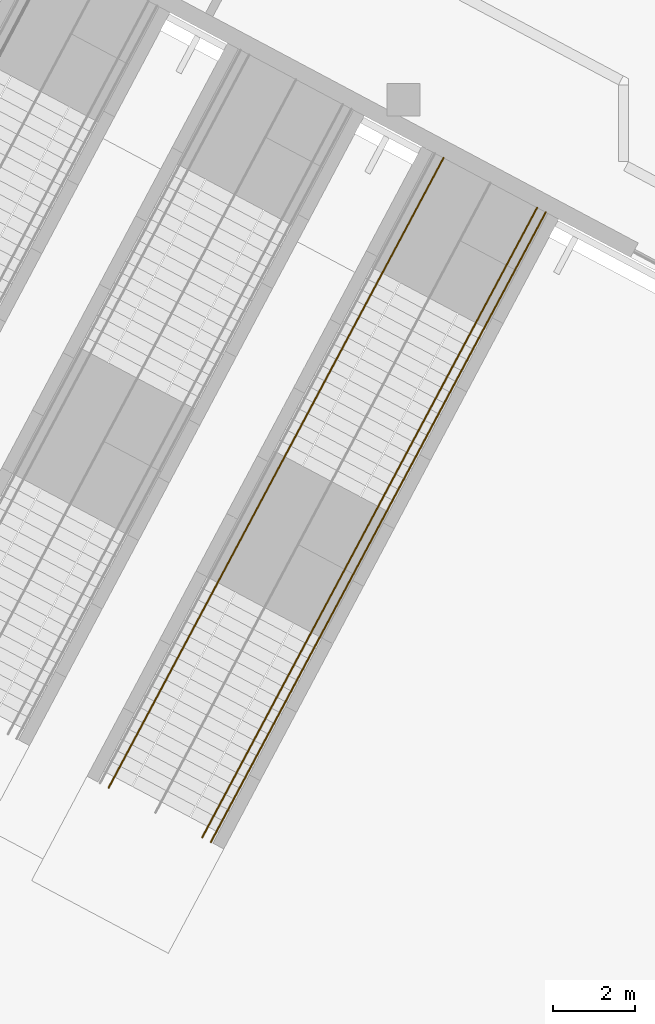
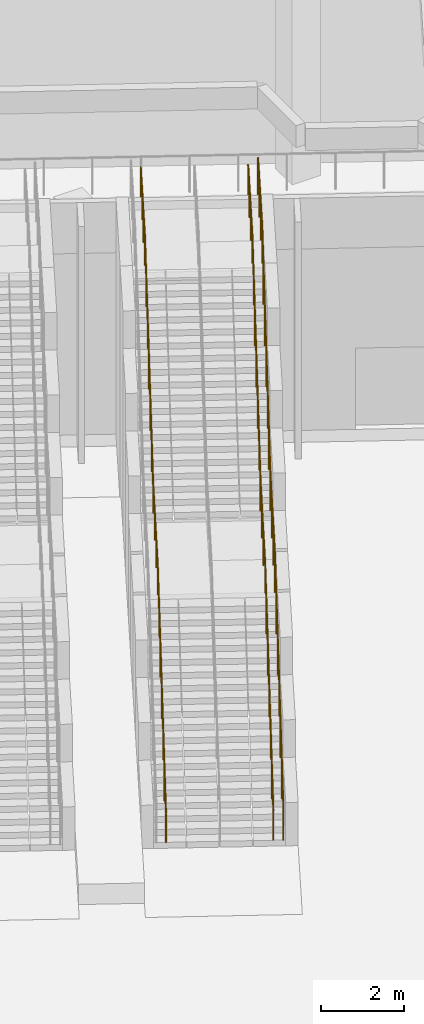
# One storey, part 41 of 57: 3 railings.
"""IFC4 building model written with IfcOpenShell, lengths in metres."""

from ifc_helpers import new_model, si_unit, direction, frame, origin, place, context, subcontext, project, spatial, polyline, outline, extrude, material, type_object, element, save


model = new_model("IFC4")

# Units and contexts
model_context = context("Model", 3, precision=1e-05, world=origin(), true_north=direction((0.0, 1.0)))
body_context = subcontext(model_context, "Body", "Model", "MODEL_VIEW")
ifc_project = project(units=[si_unit("LENGTHUNIT", "METRE"), si_unit("AREAUNIT", "SQUARE_METRE"), si_unit("VOLUMEUNIT", "CUBIC_METRE"), si_unit("PLANEANGLEUNIT", "RADIAN"), si_unit("MASSUNIT", "GRAM", prefix="KILO")], contexts=[model_context])

# Site, building, storey
site_placement = place(None, origin())
site = spatial("IfcSite", under=ifc_project, at=site_placement, CompositionType="ELEMENT")
building_placement = place(site_placement, origin())
building = spatial("IfcBuilding", under=site, at=building_placement, Name="Cormorant Relay Tower", CompositionType="ELEMENT")
storey_placement = place(building_placement, origin())
storey = spatial("IfcBuildingStorey", under=building, at=storey_placement, Name="L00", CompositionType="ELEMENT", Elevation=0.0)

# Railings
ifc_material_1 = material(Name="Stainless steel 316", Category="steel")
railing_type_1 = type_object("IfcRailingType", Name="Podium stair handrail 900", PredefinedType="HANDRAIL", material=ifc_material_1)
railing_1_placement = place(storey_placement, frame((-27.510498046875, -22.747314453125, 7.0)))
element("IfcRailing", 1, at=railing_1_placement, inside=storey, type_object=railing_type_1, Name="Stair handrail", PredefinedType="HANDRAIL", context=body_context, shape_type="SweptSolid", body=[
    extrude(outline(polyline([(0.022216796875, 0.00927734375), (0.00927734375, 0.022216796875), (-0.00927734375, 0.022216796875), (-0.022216796875, 0.00927734375), (-0.022216796875, -0.00927734375), (-0.00927734375, -0.022216796875), (0.00927734375, -0.022216796875), (0.022216796875, -0.00927734375), (0.022216796875, 0.00927734375)])), frame((0.0, 0.0, 0.8759765625), z_axis=(-0.469434248776, -0.882967432059, 0.0), x_axis=(0.882967432059, -0.469434248776, 0.0)), (0.0, 0.0, 1.0), 2.89990234375),
    extrude(outline(polyline([(0.022216796875, 0.00927734375), (0.00927734375, 0.022216796875), (-0.00927734375, 0.022216796875), (-0.022216796875, 0.00927734375), (-0.022216796875, -0.00927734375), (-0.00927734375, -0.022216796875), (0.00927734375, -0.022216796875), (0.022216796875, -0.00927734375), (0.022216796875, 0.00927734375)])), frame((-1.361328125, -2.560546875, 0.8759765625), z_axis=(-0.40552993965, -0.762667108471, -0.50386937762), x_axis=(0.882941524652, -0.469482975245, 0.0)), (0.0, 0.0, 1.0), 6.598876953125),
    extrude(outline(polyline([(0.022216796875, 0.00927734375), (0.00927734375, 0.022216796875), (-0.00927734375, 0.022216796875), (-0.022216796875, 0.00927734375), (-0.022216796875, -0.00927734375), (-0.00927734375, -0.022216796875), (0.00927734375, -0.022216796875), (0.022216796875, -0.00927734375), (0.022216796875, 0.00927734375)])), frame((-4.037353515625, -7.59326171875, -2.44921875), z_axis=(-0.468742586737, -0.881644394004, -0.054621881146), x_axis=(0.88296255937, -0.469443413791, 0.0)), (0.0, 0.0, 1.0), 3.204833984375),
    extrude(outline(polyline([(0.022216796875, 0.00927734375), (0.00927734375, 0.022216796875), (-0.00927734375, 0.022216796875), (-0.022216796875, 0.00927734375), (-0.022216796875, -0.00927734375), (-0.00927734375, -0.022216796875), (0.00927734375, -0.022216796875), (0.022216796875, -0.00927734375), (0.022216796875, 0.00927734375)])), frame((-5.53955078125, -10.418701171875, -2.6240234375), z_axis=(-0.4055184971, -0.762682585322, -0.503855160296), x_axis=(0.882950964929, -0.46946522079, 0.0)), (0.0, 0.0, 1.0), 6.59912109375),
    extrude(outline(polyline([(0.019287109375, 0.008056640625), (0.008056640625, 0.019287109375), (-0.008056640625, 0.019287109375), (-0.019287109375, 0.008056640625), (-0.019287109375, -0.008056640625), (-0.008056640625, -0.019287109375), (0.008056640625, -0.019287109375), (0.019287109375, -0.008056640625), (0.019287109375, 0.008056640625)])), origin(), (0.0, 0.0, 1.0), 0.851806640625),
    extrude(outline(polyline([(0.019287109375, 0.008056640625), (0.008056640625, 0.019287109375), (-0.008056640625, 0.019287109375), (-0.019287109375, 0.008056640625), (-0.019287109375, -0.008056640625), (-0.008056640625, -0.019287109375), (0.008056640625, -0.019287109375), (0.019287109375, -0.008056640625), (0.019287109375, 0.008056640625)])), frame((-0.453857421875, -0.853515625, 0.0)), (0.0, 0.0, 1.0), 0.851806640625),
    extrude(outline(polyline([(0.019287109375, 0.008056640625), (0.008056640625, 0.019287109375), (-0.008056640625, 0.019287109375), (-0.019287109375, 0.008056640625), (-0.019287109375, -0.008056640625), (-0.008056640625, -0.019287109375), (0.008056640625, -0.019287109375), (0.019287109375, -0.008056640625), (0.019287109375, 0.008056640625)])), frame((-0.907470703125, -1.70703125, 0.0)), (0.0, 0.0, 1.0), 0.851806640625),
    extrude(outline(polyline([(0.019287109375, 0.008056640625), (0.008056640625, 0.019287109375), (-0.008056640625, 0.019287109375), (-0.019287109375, 0.008056640625), (-0.019287109375, -0.008056640625), (-0.008056640625, -0.019287109375), (0.008056640625, -0.019287109375), (0.019287109375, -0.008056640625), (0.019287109375, 0.008056640625)])), frame((-1.361328125, -2.560546875, 0.0)), (0.0, 0.0, 1.0), 0.851806640625),
    extrude(outline(polyline([(0.019287109375, 0.008056640625), (0.008056640625, 0.019287109375), (-0.008056640625, 0.019287109375), (-0.019287109375, 0.008056640625), (-0.019287109375, -0.008056640625), (-0.008056640625, -0.019287109375), (0.008056640625, -0.019287109375), (0.019287109375, -0.008056640625), (0.019287109375, 0.008056640625)])), frame((-1.807373046875, -3.3994140625, -0.55419921875)), (0.0, 0.0, 1.0), 0.851806640625),
    extrude(outline(polyline([(0.019287109375, 0.008056640625), (0.008056640625, 0.019287109375), (-0.008056640625, 0.019287109375), (-0.019287109375, 0.008056640625), (-0.019287109375, -0.008056640625), (-0.008056640625, -0.019287109375), (0.008056640625, -0.019287109375), (0.019287109375, -0.008056640625), (0.019287109375, 0.008056640625)])), frame((-2.25341796875, -4.238037109375, -1.1083984375)), (0.0, 0.0, 1.0), 0.851806640625),
    extrude(outline(polyline([(0.019287109375, 0.008056640625), (0.008056640625, 0.019287109375), (-0.008056640625, 0.019287109375), (-0.019287109375, 0.008056640625), (-0.019287109375, -0.008056640625), (-0.008056640625, -0.019287109375), (0.008056640625, -0.019287109375), (0.019287109375, -0.008056640625), (0.019287109375, 0.008056640625)])), frame((-2.69921875, -5.076904296875, -1.66259765625)), (0.0, 0.0, 1.0), 0.851806640625),
    extrude(outline(polyline([(0.019287109375, 0.008056640625), (0.008056640625, 0.019287109375), (-0.008056640625, 0.019287109375), (-0.019287109375, 0.008056640625), (-0.019287109375, -0.008056640625), (-0.008056640625, -0.019287109375), (0.008056640625, -0.019287109375), (0.019287109375, -0.008056640625), (0.019287109375, 0.008056640625)])), frame((-3.145263671875, -5.915771484375, -2.216552734375)), (0.0, 0.0, 1.0), 0.851806640625),
    extrude(outline(polyline([(0.019287109375, 0.008056640625), (0.008056640625, 0.019287109375), (-0.008056640625, 0.019287109375), (-0.019287109375, 0.008056640625), (-0.019287109375, -0.008056640625), (-0.008056640625, -0.019287109375), (0.008056640625, -0.019287109375), (0.019287109375, -0.008056640625), (0.019287109375, 0.008056640625)])), frame((-3.59130859375, -6.75439453125, -2.770751953125)), (0.0, 0.0, 1.0), 0.851806640625),
    extrude(outline(polyline([(0.019287109375, 0.008056640625), (0.008056640625, 0.019287109375), (-0.008056640625, 0.019287109375), (-0.019287109375, 0.008056640625), (-0.019287109375, -0.008056640625), (-0.008056640625, -0.019287109375), (0.008056640625, -0.019287109375), (0.019287109375, -0.008056640625), (0.019287109375, 0.008056640625)])), frame((-4.037353515625, -7.59326171875, -3.324951171875)), (0.0, 0.0, 1.0), 0.851806640625),
    extrude(outline(polyline([(0.019287109375, 0.008056640625), (0.008056640625, 0.019287109375), (-0.008056640625, 0.019287109375), (-0.019287109375, 0.008056640625), (-0.019287109375, -0.008056640625), (-0.008056640625, -0.019287109375), (0.008056640625, -0.019287109375), (0.019287109375, -0.008056640625), (0.019287109375, 0.008056640625)])), frame((-4.5380859375, -8.53515625, -3.38330078125)), (0.0, 0.0, 1.0), 0.851806640625),
    extrude(outline(polyline([(0.019287109375, 0.008056640625), (0.008056640625, 0.019287109375), (-0.008056640625, 0.019287109375), (-0.019287109375, 0.008056640625), (-0.019287109375, -0.008056640625), (-0.008056640625, -0.019287109375), (0.008056640625, -0.019287109375), (0.019287109375, -0.008056640625), (0.019287109375, 0.008056640625)])), frame((-5.038818359375, -9.476806640625, -3.441650390625)), (0.0, 0.0, 1.0), 0.851806640625),
    extrude(outline(polyline([(0.019287109375, 0.008056640625), (0.008056640625, 0.019287109375), (-0.008056640625, 0.019287109375), (-0.019287109375, 0.008056640625), (-0.019287109375, -0.008056640625), (-0.008056640625, -0.019287109375), (0.008056640625, -0.019287109375), (0.019287109375, -0.008056640625), (0.019287109375, 0.008056640625)])), frame((-5.53955078125, -10.418701171875, -3.5)), (0.0, 0.0, 1.0), 0.851806640625),
    extrude(outline(polyline([(0.019287109375, 0.008056640625), (0.008056640625, 0.019287109375), (-0.008056640625, 0.019287109375), (-0.019287109375, 0.008056640625), (-0.019287109375, -0.008056640625), (-0.008056640625, -0.019287109375), (0.008056640625, -0.019287109375), (0.019287109375, -0.008056640625), (0.019287109375, 0.008056640625)])), frame((-5.985595703125, -11.257568359375, -4.05419921875)), (0.0, 0.0, 1.0), 0.851806640625),
    extrude(outline(polyline([(0.019287109375, 0.008056640625), (0.008056640625, 0.019287109375), (-0.008056640625, 0.019287109375), (-0.019287109375, 0.008056640625), (-0.019287109375, -0.008056640625), (-0.008056640625, -0.019287109375), (0.008056640625, -0.019287109375), (0.019287109375, -0.008056640625), (0.019287109375, 0.008056640625)])), frame((-6.431640625, -12.096435546875, -4.6083984375)), (0.0, 0.0, 1.0), 0.851806640625),
    extrude(outline(polyline([(0.019287109375, 0.008056640625), (0.008056640625, 0.019287109375), (-0.008056640625, 0.019287109375), (-0.019287109375, 0.008056640625), (-0.019287109375, -0.008056640625), (-0.008056640625, -0.019287109375), (0.008056640625, -0.019287109375), (0.019287109375, -0.008056640625), (0.019287109375, 0.008056640625)])), frame((-6.87744140625, -12.93505859375, -5.16259765625)), (0.0, 0.0, 1.0), 0.851806640625),
    extrude(outline(polyline([(0.019287109375, 0.008056640625), (0.008056640625, 0.019287109375), (-0.008056640625, 0.019287109375), (-0.019287109375, 0.008056640625), (-0.019287109375, -0.008056640625), (-0.008056640625, -0.019287109375), (0.008056640625, -0.019287109375), (0.019287109375, -0.008056640625), (0.019287109375, 0.008056640625)])), frame((-7.323486328125, -13.77392578125, -5.716552734375)), (0.0, 0.0, 1.0), 0.851806640625),
    extrude(outline(polyline([(0.019287109375, 0.008056640625), (0.008056640625, 0.019287109375), (-0.008056640625, 0.019287109375), (-0.019287109375, 0.008056640625), (-0.019287109375, -0.008056640625), (-0.008056640625, -0.019287109375), (0.008056640625, -0.019287109375), (0.019287109375, -0.008056640625), (0.019287109375, 0.008056640625)])), frame((-7.76953125, -14.61279296875, -6.270751953125)), (0.0, 0.0, 1.0), 0.851806640625),
    extrude(outline(polyline([(0.019287109375, 0.008056640625), (0.008056640625, 0.019287109375), (-0.008056640625, 0.019287109375), (-0.019287109375, 0.008056640625), (-0.019287109375, -0.008056640625), (-0.008056640625, -0.019287109375), (0.008056640625, -0.019287109375), (0.019287109375, -0.008056640625), (0.019287109375, 0.008056640625)])), frame((-8.215576171875, -15.45166015625, -6.824951171875)), (0.0, 0.0, 1.0), 0.851806640625),
])
railing_2_placement = place(storey_placement, frame((-25.214599609375, -23.968017578125, 7.0)))
element("IfcRailing", 2, at=railing_2_placement, inside=storey, type_object=railing_type_1, Name="Stair handrail", PredefinedType="HANDRAIL", context=body_context, shape_type="SweptSolid", body=[
    extrude(outline(polyline([(0.022216796875, 0.00927734375), (0.00927734375, 0.022216796875), (-0.00927734375, 0.022216796875), (-0.022216796875, 0.00927734375), (-0.022216796875, -0.00927734375), (-0.00927734375, -0.022216796875), (0.00927734375, -0.022216796875), (0.022216796875, -0.00927734375), (0.022216796875, 0.00927734375)])), frame((0.0, 0.0, 0.8759765625), z_axis=(-0.469499880774, -0.882932535335, 0.0), x_axis=(0.882932535335, -0.469499880774, 0.0)), (0.0, 0.0, 1.0), 2.900146484375),
    extrude(outline(polyline([(0.022216796875, 0.00927734375), (0.00927734375, 0.022216796875), (-0.00927734375, 0.022216796875), (-0.022216796875, 0.00927734375), (-0.022216796875, -0.00927734375), (-0.00927734375, -0.022216796875), (0.00927734375, -0.022216796875), (0.022216796875, -0.00927734375), (0.022216796875, 0.00927734375)])), frame((-1.361572265625, -2.560546875, 0.8759765625), z_axis=(-0.40552993965, -0.762667108471, -0.50386937762), x_axis=(0.882941524652, -0.469482975245, 0.0)), (0.0, 0.0, 1.0), 6.598876953125),
    extrude(outline(polyline([(0.022216796875, 0.00927734375), (0.00927734375, 0.022216796875), (-0.00927734375, 0.022216796875), (-0.022216796875, 0.00927734375), (-0.022216796875, -0.00927734375), (-0.00927734375, -0.022216796875), (0.00927734375, -0.022216796875), (0.022216796875, -0.00927734375), (0.022216796875, 0.00927734375)])), frame((-4.03759765625, -7.59326171875, -2.44921875), z_axis=(-0.468742586737, -0.881644394004, -0.054621881146), x_axis=(0.88296255937, -0.469443413791, 0.0)), (0.0, 0.0, 1.0), 3.204833984375),
    extrude(outline(polyline([(0.022216796875, 0.00927734375), (0.00927734375, 0.022216796875), (-0.00927734375, 0.022216796875), (-0.022216796875, 0.00927734375), (-0.022216796875, -0.00927734375), (-0.00927734375, -0.022216796875), (0.00927734375, -0.022216796875), (0.022216796875, -0.00927734375), (0.022216796875, 0.00927734375)])), frame((-5.539794921875, -10.418701171875, -2.6240234375), z_axis=(-0.40552993965, -0.762667108471, -0.50386937762), x_axis=(0.882941524652, -0.469482975245, 0.0)), (0.0, 0.0, 1.0), 6.598876953125),
    extrude(outline(polyline([(0.019287109375, 0.008056640625), (0.008056640625, 0.019287109375), (-0.008056640625, 0.019287109375), (-0.019287109375, 0.008056640625), (-0.019287109375, -0.008056640625), (-0.008056640625, -0.019287109375), (0.008056640625, -0.019287109375), (0.019287109375, -0.008056640625), (0.019287109375, 0.008056640625)])), origin(), (0.0, 0.0, 1.0), 0.851806640625),
    extrude(outline(polyline([(0.019287109375, 0.008056640625), (0.008056640625, 0.019287109375), (-0.008056640625, 0.019287109375), (-0.019287109375, 0.008056640625), (-0.019287109375, -0.008056640625), (-0.008056640625, -0.019287109375), (0.008056640625, -0.019287109375), (0.019287109375, -0.008056640625), (0.019287109375, 0.008056640625)])), frame((-0.453857421875, -0.853515625, 0.0)), (0.0, 0.0, 1.0), 0.851806640625),
    extrude(outline(polyline([(0.019287109375, 0.008056640625), (0.008056640625, 0.019287109375), (-0.008056640625, 0.019287109375), (-0.019287109375, 0.008056640625), (-0.019287109375, -0.008056640625), (-0.008056640625, -0.019287109375), (0.008056640625, -0.019287109375), (0.019287109375, -0.008056640625), (0.019287109375, 0.008056640625)])), frame((-0.90771484375, -1.70703125, 0.0)), (0.0, 0.0, 1.0), 0.851806640625),
    extrude(outline(polyline([(0.019287109375, 0.008056640625), (0.008056640625, 0.019287109375), (-0.008056640625, 0.019287109375), (-0.019287109375, 0.008056640625), (-0.019287109375, -0.008056640625), (-0.008056640625, -0.019287109375), (0.008056640625, -0.019287109375), (0.019287109375, -0.008056640625), (0.019287109375, 0.008056640625)])), frame((-1.361572265625, -2.560546875, 0.0)), (0.0, 0.0, 1.0), 0.851806640625),
    extrude(outline(polyline([(0.019287109375, 0.008056640625), (0.008056640625, 0.019287109375), (-0.008056640625, 0.019287109375), (-0.019287109375, 0.008056640625), (-0.019287109375, -0.008056640625), (-0.008056640625, -0.019287109375), (0.008056640625, -0.019287109375), (0.019287109375, -0.008056640625), (0.019287109375, 0.008056640625)])), frame((-1.8076171875, -3.3994140625, -0.55419921875)), (0.0, 0.0, 1.0), 0.851806640625),
    extrude(outline(polyline([(0.019287109375, 0.008056640625), (0.008056640625, 0.019287109375), (-0.008056640625, 0.019287109375), (-0.019287109375, 0.008056640625), (-0.019287109375, -0.008056640625), (-0.008056640625, -0.019287109375), (0.008056640625, -0.019287109375), (0.019287109375, -0.008056640625), (0.019287109375, 0.008056640625)])), frame((-2.253662109375, -4.238037109375, -1.1083984375)), (0.0, 0.0, 1.0), 0.851806640625),
    extrude(outline(polyline([(0.019287109375, 0.008056640625), (0.008056640625, 0.019287109375), (-0.008056640625, 0.019287109375), (-0.019287109375, 0.008056640625), (-0.019287109375, -0.008056640625), (-0.008056640625, -0.019287109375), (0.008056640625, -0.019287109375), (0.019287109375, -0.008056640625), (0.019287109375, 0.008056640625)])), frame((-2.69970703125, -5.076904296875, -1.66259765625)), (0.0, 0.0, 1.0), 0.851806640625),
    extrude(outline(polyline([(0.019287109375, 0.008056640625), (0.008056640625, 0.019287109375), (-0.008056640625, 0.019287109375), (-0.019287109375, 0.008056640625), (-0.019287109375, -0.008056640625), (-0.008056640625, -0.019287109375), (0.008056640625, -0.019287109375), (0.019287109375, -0.008056640625), (0.019287109375, 0.008056640625)])), frame((-3.1455078125, -5.915771484375, -2.216552734375)), (0.0, 0.0, 1.0), 0.851806640625),
    extrude(outline(polyline([(0.019287109375, 0.008056640625), (0.008056640625, 0.019287109375), (-0.008056640625, 0.019287109375), (-0.019287109375, 0.008056640625), (-0.019287109375, -0.008056640625), (-0.008056640625, -0.019287109375), (0.008056640625, -0.019287109375), (0.019287109375, -0.008056640625), (0.019287109375, 0.008056640625)])), frame((-3.591552734375, -6.75439453125, -2.770751953125)), (0.0, 0.0, 1.0), 0.851806640625),
    extrude(outline(polyline([(0.019287109375, 0.008056640625), (0.008056640625, 0.019287109375), (-0.008056640625, 0.019287109375), (-0.019287109375, 0.008056640625), (-0.019287109375, -0.008056640625), (-0.008056640625, -0.019287109375), (0.008056640625, -0.019287109375), (0.019287109375, -0.008056640625), (0.019287109375, 0.008056640625)])), frame((-4.03759765625, -7.59326171875, -3.324951171875)), (0.0, 0.0, 1.0), 0.851806640625),
    extrude(outline(polyline([(0.019287109375, 0.008056640625), (0.008056640625, 0.019287109375), (-0.008056640625, 0.019287109375), (-0.019287109375, 0.008056640625), (-0.019287109375, -0.008056640625), (-0.008056640625, -0.019287109375), (0.008056640625, -0.019287109375), (0.019287109375, -0.008056640625), (0.019287109375, 0.008056640625)])), frame((-4.538330078125, -8.53515625, -3.38330078125)), (0.0, 0.0, 1.0), 0.851806640625),
    extrude(outline(polyline([(0.019287109375, 0.008056640625), (0.008056640625, 0.019287109375), (-0.008056640625, 0.019287109375), (-0.019287109375, 0.008056640625), (-0.019287109375, -0.008056640625), (-0.008056640625, -0.019287109375), (0.008056640625, -0.019287109375), (0.019287109375, -0.008056640625), (0.019287109375, 0.008056640625)])), frame((-5.0390625, -9.476806640625, -3.441650390625)), (0.0, 0.0, 1.0), 0.851806640625),
    extrude(outline(polyline([(0.019287109375, 0.008056640625), (0.008056640625, 0.019287109375), (-0.008056640625, 0.019287109375), (-0.019287109375, 0.008056640625), (-0.019287109375, -0.008056640625), (-0.008056640625, -0.019287109375), (0.008056640625, -0.019287109375), (0.019287109375, -0.008056640625), (0.019287109375, 0.008056640625)])), frame((-5.539794921875, -10.418701171875, -3.5)), (0.0, 0.0, 1.0), 0.851806640625),
    extrude(outline(polyline([(0.019287109375, 0.008056640625), (0.008056640625, 0.019287109375), (-0.008056640625, 0.019287109375), (-0.019287109375, 0.008056640625), (-0.019287109375, -0.008056640625), (-0.008056640625, -0.019287109375), (0.008056640625, -0.019287109375), (0.019287109375, -0.008056640625), (0.019287109375, 0.008056640625)])), frame((-5.98583984375, -11.257568359375, -4.05419921875)), (0.0, 0.0, 1.0), 0.851806640625),
    extrude(outline(polyline([(0.019287109375, 0.008056640625), (0.008056640625, 0.019287109375), (-0.008056640625, 0.019287109375), (-0.019287109375, 0.008056640625), (-0.019287109375, -0.008056640625), (-0.008056640625, -0.019287109375), (0.008056640625, -0.019287109375), (0.019287109375, -0.008056640625), (0.019287109375, 0.008056640625)])), frame((-6.431884765625, -12.09619140625, -4.6083984375)), (0.0, 0.0, 1.0), 0.851806640625),
    extrude(outline(polyline([(0.019287109375, 0.008056640625), (0.008056640625, 0.019287109375), (-0.008056640625, 0.019287109375), (-0.019287109375, 0.008056640625), (-0.019287109375, -0.008056640625), (-0.008056640625, -0.019287109375), (0.008056640625, -0.019287109375), (0.019287109375, -0.008056640625), (0.019287109375, 0.008056640625)])), frame((-6.8779296875, -12.93505859375, -5.16259765625)), (0.0, 0.0, 1.0), 0.851806640625),
    extrude(outline(polyline([(0.019287109375, 0.008056640625), (0.008056640625, 0.019287109375), (-0.008056640625, 0.019287109375), (-0.019287109375, 0.008056640625), (-0.019287109375, -0.008056640625), (-0.008056640625, -0.019287109375), (0.008056640625, -0.019287109375), (0.019287109375, -0.008056640625), (0.019287109375, 0.008056640625)])), frame((-7.32373046875, -13.77392578125, -5.716552734375)), (0.0, 0.0, 1.0), 0.851806640625),
    extrude(outline(polyline([(0.019287109375, 0.008056640625), (0.008056640625, 0.019287109375), (-0.008056640625, 0.019287109375), (-0.019287109375, 0.008056640625), (-0.019287109375, -0.008056640625), (-0.008056640625, -0.019287109375), (0.008056640625, -0.019287109375), (0.019287109375, -0.008056640625), (0.019287109375, 0.008056640625)])), frame((-7.769775390625, -14.612548828125, -6.270751953125)), (0.0, 0.0, 1.0), 0.851806640625),
    extrude(outline(polyline([(0.019287109375, 0.008056640625), (0.008056640625, 0.019287109375), (-0.008056640625, 0.019287109375), (-0.019287109375, 0.008056640625), (-0.019287109375, -0.008056640625), (-0.008056640625, -0.019287109375), (0.008056640625, -0.019287109375), (0.019287109375, -0.008056640625), (0.019287109375, 0.008056640625)])), frame((-8.2158203125, -15.451416015625, -6.824951171875)), (0.0, 0.0, 1.0), 0.851806640625),
])
ifc_material_2 = material(Name="Bronze anodised aluminium", Category="aluminium")
railing_type_2 = type_object("IfcRailingType", Name="Stair guard steel 1100", PredefinedType="GUARDRAIL", material=ifc_material_2)
railing_3_placement = place(storey_placement, frame((-25.002685546875, -24.08056640625, 7.0)))
element("IfcRailing", 3, at=railing_3_placement, inside=storey, type_object=railing_type_2, Name="Stair guard", PredefinedType="GUARDRAIL", context=body_context, shape_type="SweptSolid", body=[
    extrude(outline(polyline([(0.022216796875, 0.00927734375), (0.00927734375, 0.022216796875), (-0.00927734375, 0.022216796875), (-0.022216796875, 0.00927734375), (-0.022216796875, -0.00927734375), (-0.00927734375, -0.022216796875), (0.00927734375, -0.022216796875), (0.022216796875, -0.00927734375), (0.022216796875, 0.00927734375)])), frame((0.0, 0.0, 1.076171875), z_axis=(-0.469499880774, -0.882932535335, 0.0), x_axis=(0.882932535335, -0.469499880774, 0.0)), (0.0, 0.0, 1.0), 2.900146484375),
    extrude(outline(polyline([(0.022216796875, 0.00927734375), (0.00927734375, 0.022216796875), (-0.00927734375, 0.022216796875), (-0.022216796875, 0.00927734375), (-0.022216796875, -0.00927734375), (-0.00927734375, -0.022216796875), (0.00927734375, -0.022216796875), (0.022216796875, -0.00927734375), (0.022216796875, 0.00927734375)])), frame((-1.361572265625, -2.560546875, 1.076171875), z_axis=(-0.40552993965, -0.762667108471, -0.50386937762), x_axis=(0.882941524652, -0.469482975245, 0.0)), (0.0, 0.0, 1.0), 6.598876953125),
    extrude(outline(polyline([(0.022216796875, 0.00927734375), (0.00927734375, 0.022216796875), (-0.00927734375, 0.022216796875), (-0.022216796875, 0.00927734375), (-0.022216796875, -0.00927734375), (-0.00927734375, -0.022216796875), (0.00927734375, -0.022216796875), (0.022216796875, -0.00927734375), (0.022216796875, 0.00927734375)])), frame((-4.03759765625, -7.59326171875, -2.2490234375), z_axis=(-0.468711105603, -0.881661358077, -0.054618212696), x_axis=(0.882979371353, -0.469411791251, 0.0)), (0.0, 0.0, 1.0), 3.204833984375),
    extrude(outline(polyline([(0.022216796875, 0.00927734375), (0.00927734375, 0.022216796875), (-0.00927734375, 0.022216796875), (-0.022216796875, 0.00927734375), (-0.022216796875, -0.00927734375), (-0.00927734375, -0.022216796875), (0.00927734375, -0.022216796875), (0.022216796875, -0.00927734375), (0.022216796875, 0.00927734375)])), frame((-5.539794921875, -10.4189453125, -2.423828125), z_axis=(-0.40552993965, -0.762667108471, -0.50386937762), x_axis=(0.882941524652, -0.469482975245, 0.0)), (0.0, 0.0, 1.0), 6.598876953125),
    extrude(outline(polyline([(0.019287109375, 0.008056640625), (0.008056640625, 0.019287109375), (-0.008056640625, 0.019287109375), (-0.019287109375, 0.008056640625), (-0.019287109375, -0.008056640625), (-0.008056640625, -0.019287109375), (0.008056640625, -0.019287109375), (0.019287109375, -0.008056640625), (0.019287109375, 0.008056640625)])), origin(), (0.0, 0.0, 1.0), 1.052001953125),
    extrude(outline(polyline([(0.019287109375, 0.008056640625), (0.008056640625, 0.019287109375), (-0.008056640625, 0.019287109375), (-0.019287109375, 0.008056640625), (-0.019287109375, -0.008056640625), (-0.008056640625, -0.019287109375), (0.008056640625, -0.019287109375), (0.019287109375, -0.008056640625), (0.019287109375, 0.008056640625)])), frame((-0.453857421875, -0.853515625, 0.0)), (0.0, 0.0, 1.0), 1.052001953125),
    extrude(outline(polyline([(0.019287109375, 0.008056640625), (0.008056640625, 0.019287109375), (-0.008056640625, 0.019287109375), (-0.019287109375, 0.008056640625), (-0.019287109375, -0.008056640625), (-0.008056640625, -0.019287109375), (0.008056640625, -0.019287109375), (0.019287109375, -0.008056640625), (0.019287109375, 0.008056640625)])), frame((-0.90771484375, -1.70703125, 0.0)), (0.0, 0.0, 1.0), 1.052001953125),
    extrude(outline(polyline([(0.019287109375, 0.008056640625), (0.008056640625, 0.019287109375), (-0.008056640625, 0.019287109375), (-0.019287109375, 0.008056640625), (-0.019287109375, -0.008056640625), (-0.008056640625, -0.019287109375), (0.008056640625, -0.019287109375), (0.019287109375, -0.008056640625), (0.019287109375, 0.008056640625)])), frame((-1.361572265625, -2.560546875, 0.0)), (0.0, 0.0, 1.0), 1.052001953125),
    extrude(outline(polyline([(0.019287109375, 0.008056640625), (0.008056640625, 0.019287109375), (-0.008056640625, 0.019287109375), (-0.019287109375, 0.008056640625), (-0.019287109375, -0.008056640625), (-0.008056640625, -0.019287109375), (0.008056640625, -0.019287109375), (0.019287109375, -0.008056640625), (0.019287109375, 0.008056640625)])), frame((-1.8076171875, -3.3994140625, -0.55419921875)), (0.0, 0.0, 1.0), 1.052001953125),
    extrude(outline(polyline([(0.019287109375, 0.008056640625), (0.008056640625, 0.019287109375), (-0.008056640625, 0.019287109375), (-0.019287109375, 0.008056640625), (-0.019287109375, -0.008056640625), (-0.008056640625, -0.019287109375), (0.008056640625, -0.019287109375), (0.019287109375, -0.008056640625), (0.019287109375, 0.008056640625)])), frame((-2.253662109375, -4.238037109375, -1.1083984375)), (0.0, 0.0, 1.0), 1.052001953125),
    extrude(outline(polyline([(0.019287109375, 0.008056640625), (0.008056640625, 0.019287109375), (-0.008056640625, 0.019287109375), (-0.019287109375, 0.008056640625), (-0.019287109375, -0.008056640625), (-0.008056640625, -0.019287109375), (0.008056640625, -0.019287109375), (0.019287109375, -0.008056640625), (0.019287109375, 0.008056640625)])), frame((-2.69970703125, -5.076904296875, -1.66259765625)), (0.0, 0.0, 1.0), 1.052001953125),
    extrude(outline(polyline([(0.019287109375, 0.008056640625), (0.008056640625, 0.019287109375), (-0.008056640625, 0.019287109375), (-0.019287109375, 0.008056640625), (-0.019287109375, -0.008056640625), (-0.008056640625, -0.019287109375), (0.008056640625, -0.019287109375), (0.019287109375, -0.008056640625), (0.019287109375, 0.008056640625)])), frame((-3.1455078125, -5.915771484375, -2.216552734375)), (0.0, 0.0, 1.0), 1.052001953125),
    extrude(outline(polyline([(0.019287109375, 0.008056640625), (0.008056640625, 0.019287109375), (-0.008056640625, 0.019287109375), (-0.019287109375, 0.008056640625), (-0.019287109375, -0.008056640625), (-0.008056640625, -0.019287109375), (0.008056640625, -0.019287109375), (0.019287109375, -0.008056640625), (0.019287109375, 0.008056640625)])), frame((-3.591552734375, -6.75439453125, -2.770751953125)), (0.0, 0.0, 1.0), 1.052001953125),
    extrude(outline(polyline([(0.019287109375, 0.008056640625), (0.008056640625, 0.019287109375), (-0.008056640625, 0.019287109375), (-0.019287109375, 0.008056640625), (-0.019287109375, -0.008056640625), (-0.008056640625, -0.019287109375), (0.008056640625, -0.019287109375), (0.019287109375, -0.008056640625), (0.019287109375, 0.008056640625)])), frame((-4.03759765625, -7.59326171875, -3.324951171875)), (0.0, 0.0, 1.0), 1.052001953125),
    extrude(outline(polyline([(0.019287109375, 0.008056640625), (0.008056640625, 0.019287109375), (-0.008056640625, 0.019287109375), (-0.019287109375, 0.008056640625), (-0.019287109375, -0.008056640625), (-0.008056640625, -0.019287109375), (0.008056640625, -0.019287109375), (0.019287109375, -0.008056640625), (0.019287109375, 0.008056640625)])), frame((-4.538330078125, -8.53515625, -3.38330078125)), (0.0, 0.0, 1.0), 1.052001953125),
    extrude(outline(polyline([(0.019287109375, 0.008056640625), (0.008056640625, 0.019287109375), (-0.008056640625, 0.019287109375), (-0.019287109375, 0.008056640625), (-0.019287109375, -0.008056640625), (-0.008056640625, -0.019287109375), (0.008056640625, -0.019287109375), (0.019287109375, -0.008056640625), (0.019287109375, 0.008056640625)])), frame((-5.0390625, -9.47705078125, -3.441650390625)), (0.0, 0.0, 1.0), 1.052001953125),
    extrude(outline(polyline([(0.019287109375, 0.008056640625), (0.008056640625, 0.019287109375), (-0.008056640625, 0.019287109375), (-0.019287109375, 0.008056640625), (-0.019287109375, -0.008056640625), (-0.008056640625, -0.019287109375), (0.008056640625, -0.019287109375), (0.019287109375, -0.008056640625), (0.019287109375, 0.008056640625)])), frame((-5.539794921875, -10.4189453125, -3.5)), (0.0, 0.0, 1.0), 1.052001953125),
    extrude(outline(polyline([(0.019287109375, 0.008056640625), (0.008056640625, 0.019287109375), (-0.008056640625, 0.019287109375), (-0.019287109375, 0.008056640625), (-0.019287109375, -0.008056640625), (-0.008056640625, -0.019287109375), (0.008056640625, -0.019287109375), (0.019287109375, -0.008056640625), (0.019287109375, 0.008056640625)])), frame((-5.98583984375, -11.2578125, -4.05419921875)), (0.0, 0.0, 1.0), 1.052001953125),
    extrude(outline(polyline([(0.019287109375, 0.008056640625), (0.008056640625, 0.019287109375), (-0.008056640625, 0.019287109375), (-0.019287109375, 0.008056640625), (-0.019287109375, -0.008056640625), (-0.008056640625, -0.019287109375), (0.008056640625, -0.019287109375), (0.019287109375, -0.008056640625), (0.019287109375, 0.008056640625)])), frame((-6.431884765625, -12.096435546875, -4.6083984375)), (0.0, 0.0, 1.0), 1.052001953125),
    extrude(outline(polyline([(0.019287109375, 0.008056640625), (0.008056640625, 0.019287109375), (-0.008056640625, 0.019287109375), (-0.019287109375, 0.008056640625), (-0.019287109375, -0.008056640625), (-0.008056640625, -0.019287109375), (0.008056640625, -0.019287109375), (0.019287109375, -0.008056640625), (0.019287109375, 0.008056640625)])), frame((-6.8779296875, -12.935302734375, -5.16259765625)), (0.0, 0.0, 1.0), 1.052001953125),
    extrude(outline(polyline([(0.019287109375, 0.008056640625), (0.008056640625, 0.019287109375), (-0.008056640625, 0.019287109375), (-0.019287109375, 0.008056640625), (-0.019287109375, -0.008056640625), (-0.008056640625, -0.019287109375), (0.008056640625, -0.019287109375), (0.019287109375, -0.008056640625), (0.019287109375, 0.008056640625)])), frame((-7.32373046875, -13.774169921875, -5.716552734375)), (0.0, 0.0, 1.0), 1.052001953125),
    extrude(outline(polyline([(0.019287109375, 0.008056640625), (0.008056640625, 0.019287109375), (-0.008056640625, 0.019287109375), (-0.019287109375, 0.008056640625), (-0.019287109375, -0.008056640625), (-0.008056640625, -0.019287109375), (0.008056640625, -0.019287109375), (0.019287109375, -0.008056640625), (0.019287109375, 0.008056640625)])), frame((-7.769775390625, -14.61279296875, -6.270751953125)), (0.0, 0.0, 1.0), 1.052001953125),
    extrude(outline(polyline([(0.019287109375, 0.008056640625), (0.008056640625, 0.019287109375), (-0.008056640625, 0.019287109375), (-0.019287109375, 0.008056640625), (-0.019287109375, -0.008056640625), (-0.008056640625, -0.019287109375), (0.008056640625, -0.019287109375), (0.019287109375, -0.008056640625), (0.019287109375, 0.008056640625)])), frame((-8.2158203125, -15.45166015625, -6.824951171875)), (0.0, 0.0, 1.0), 1.052001953125),
])

save(model, "model.ifc")
